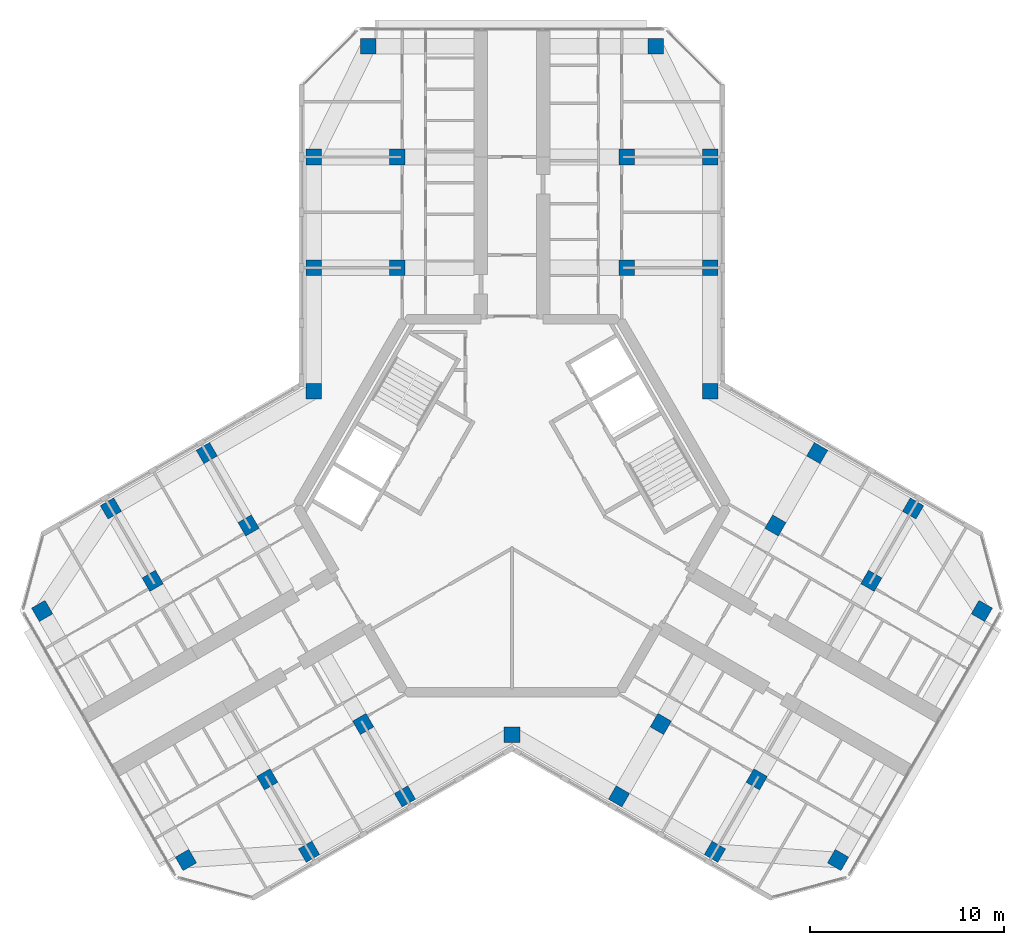
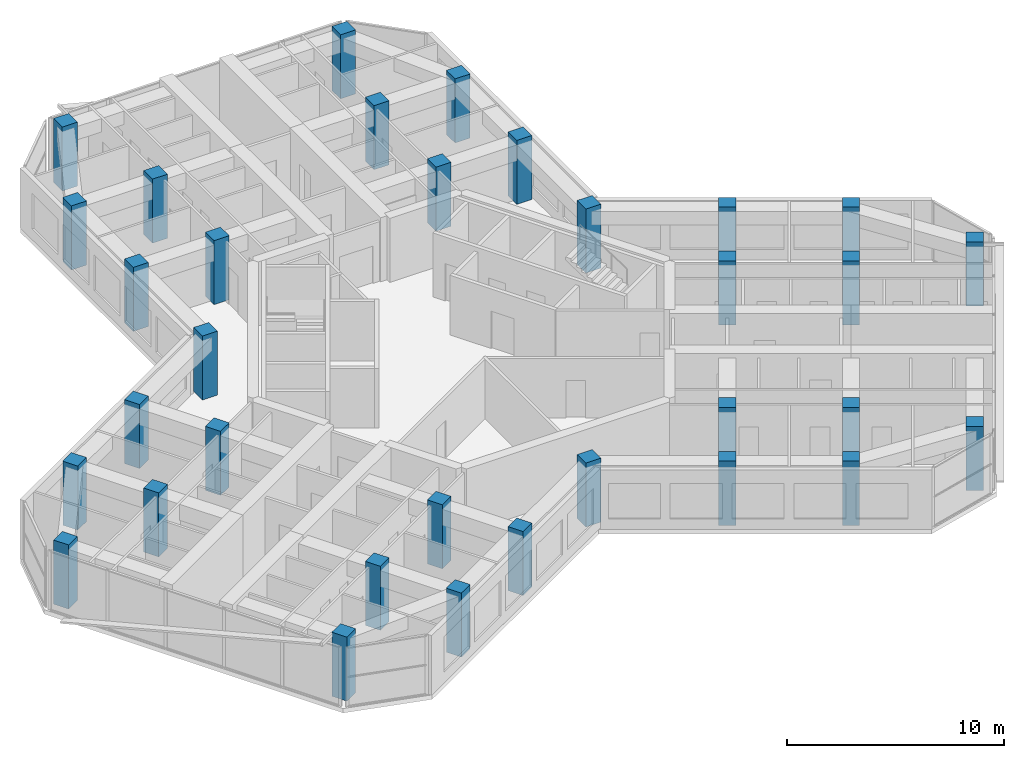
# One storey, part 1 of 14: 33 columns.
"""IFC4 building model written with IfcOpenShell, lengths in metres."""

from ifc_helpers import new_model, si_unit, direction, frame, origin, origin_2d, place, context, subcontext, project, spatial, rectangle, extrude, material, material_profile, profile_set, type_object, element, save


model = new_model("IFC4")

# Units and contexts
model_context = context("Model", 3, precision=1e-05, world=origin(), true_north=direction((0.0, 1.0)))
body_context = subcontext(model_context, "Body", "Model", "MODEL_VIEW")
ifc_project = project(units=[si_unit("LENGTHUNIT", "METRE"), si_unit("AREAUNIT", "SQUARE_METRE"), si_unit("VOLUMEUNIT", "CUBIC_METRE"), si_unit("PLANEANGLEUNIT", "RADIAN"), si_unit("MASSUNIT", "GRAM", prefix="KILO")], contexts=[model_context])

# Site, building, storey
site_placement = place(None, origin())
site = spatial("IfcSite", under=ifc_project, at=site_placement, CompositionType="ELEMENT")
building_placement = place(site_placement, origin())
building = spatial("IfcBuilding", under=site, at=building_placement, Name="Kosmar Iwan School Tower", CompositionType="ELEMENT")
storey_placement = place(building_placement, frame((0.0, 0.0, 292.60009765625)))
storey = spatial("IfcBuildingStorey", under=building, at=storey_placement, Name="L74", CompositionType="ELEMENT", Elevation=292.60009765625)

# Columns
ifc_material_1 = material(Name="Concrete C50/60", Category="concrete")
ifc_material_profile_1 = material_profile(ifc_material_1, rectangle(XDim=0.800048828125, YDim=0.800048828125, at=origin_2d()), Name="RC 800x800 + HE 300 M")
ifc_profile_set_1 = profile_set([ifc_material_profile_1], Name="Concrete C50/60")
column_type_1 = type_object("IfcColumnType", Name="Composite column 800x800 HE 300 M", PredefinedType="COLUMN", material=ifc_profile_set_1)
for number, where, z_axis, x_axis, name in (
    (1, (-10.199951171875, 12.25, 0.0), (0.0, 0.0, 1.0), (0.0, 1.0, 0.0), "Column AL1 L74"),
    (2, (-10.199951171875, 17.949951171875, 0.0), (0.0, 0.0, 1.0), (0.0, 1.0, 0.0), "Column AL2 L74"),
    (3, (-7.39990234375, 23.64990234375, 0.0), (0.0, 0.0, 1.0), (0.0, 1.0, 0.0), "Column ALTIP L74"),
    (4, (10.199951171875, 12.25, 0.0), (0.0, 0.0, 1.0), (0.0, 1.0, 0.0), "Column AR1 L74"),
    (5, (10.199951171875, 17.949951171875, 0.0), (0.0, 0.0, 1.0), (0.0, 1.0, 0.0), "Column AR2 L74"),
    (6, (7.39990234375, 23.64990234375, 0.0), (0.0, 0.0, 1.0), (0.0, 1.0, 0.0), "Column ARTIP L74"),
    (7, (-5.5087890625, -14.95849609375, 0.0), (0.0, 0.0, 1.0), (-0.866025403784, -0.5, 0.0), "Column BL1 L74"),
    (8, (-10.445068359375, -17.808349609375, 0.0), (0.0, 0.0, 1.0), (-0.866025403784, -0.5, 0.0), "Column BL2 L74"),
    (9, (-16.781494140625, -18.233642578125, 0.0), (0.0, 0.0, 1.0), (-0.866025403784, -0.5, 0.0), "Column BLTIP L74"),
    (10, (-15.708740234375, 2.70849609375, 0.0), (0.0, 0.0, 1.0), (-0.866025403784, -0.5, 0.0), "Column BR1 L74"),
    (11, (-20.645263671875, -0.1416015625, 0.0), (0.0, 0.0, 1.0), (-0.866025403784, -0.5, 0.0), "Column BR2 L74"),
    (12, (-24.181396484375, -5.41650390625, 0.0), (0.0, 0.0, 1.0), (-0.866025403784, -0.5, 0.0), "Column BRTIP L74"),
    (13, (15.708740234375, 2.70849609375, 0.0), (0.0, 0.0, 1.0), (0.866025403784, -0.5, 0.0), "Column CL1 L74"),
    (14, (20.645263671875, -0.1416015625, 0.0), (0.0, 0.0, 1.0), (0.866025403784, -0.5, 0.0), "Column CL2 L74"),
    (15, (24.181396484375, -5.41650390625, 0.0), (0.0, 0.0, 1.0), (0.866025403784, -0.5, 0.0), "Column CLTIP L74"),
    (16, (5.5087890625, -14.95849609375, 0.0), (0.0, 0.0, 1.0), (0.866025403784, -0.5, 0.0), "Column CR1 L74"),
    (17, (10.445068359375, -17.808349609375, 0.0), (0.0, 0.0, 1.0), (0.866025403784, -0.5, 0.0), "Column CR2 L74"),
    (18, (16.781494140625, -18.233642578125, 0.0), (0.0, 0.0, 1.0), (0.866025403784, -0.5, 0.0), "Column CRTIP L74"),
    (19, (-10.199951171875, 5.888916015625, 0.0), (0.0, 0.0, 1.0), (1.0, 0.0, 0.0), "Column RAB L74"),
    (20, (10.199951171875, 5.888916015625, 0.0), (0.0, 0.0, 1.0), (1.0, 0.0, 0.0), "Column RAC L74"),
    (21, (0.0, -11.77783203125, 0.0), (0.0, 0.0, 1.0), (1.0, 0.0, 0.0), "Column RBC L74"),
):
    element("IfcColumn", number, at=place(storey_placement, frame(where, z_axis=z_axis, x_axis=x_axis)), inside=storey, type_object=column_type_1, Name=name, PredefinedType="COLUMN", context=body_context, shape_type="SweptSolid", body=[
        extrude(rectangle(XDim=0.800048828125, YDim=0.800048828125, at=origin_2d()), origin(), (0.0, 0.0, 1.0), 3.599853515625),
    ])
ifc_material_2 = material(Name="Concrete C50/60", Category="concrete")
ifc_material_profile_2 = material_profile(ifc_material_2, rectangle(XDim=0.800048828125, YDim=0.800048828125, at=origin_2d()), Name="RC 800x800")
ifc_profile_set_2 = profile_set([ifc_material_profile_2], Name="Concrete C50/60")
column_type_2 = type_object("IfcColumnType", Name="RC interior column 800x800", PredefinedType="COLUMN", material=ifc_profile_set_2)
for number, where, z_axis, x_axis, name in (
    (22, (-5.89990234375, 12.25, 0.0), (0.0, 0.0, 1.0), (0.0, 1.0, 0.0), "Interior column ALI1 L74"),
    (23, (-5.89990234375, 17.949951171875, 0.0), (0.0, 0.0, 1.0), (0.0, 1.0, 0.0), "Interior column ALI2 L74"),
    (24, (5.89990234375, 12.25, 0.0), (0.0, 0.0, 1.0), (0.0, 1.0, 0.0), "Interior column ARI1 L74"),
    (25, (5.89990234375, 17.949951171875, 0.0), (0.0, 0.0, 1.0), (0.0, 1.0, 0.0), "Interior column ARI2 L74"),
    (26, (-7.65869140625, -11.234619140625, 0.0), (0.0, 0.0, 1.0), (-0.866025403784, -0.5, 0.0), "Interior column BLI1 L74"),
    (27, (-12.59521484375, -14.08447265625, 0.0), (0.0, 0.0, 1.0), (-0.866025403784, -0.5, 0.0), "Interior column BLI2 L74"),
    (28, (-13.558837890625, -1.015380859375, 0.0), (0.0, 0.0, 1.0), (-0.866025403784, -0.5, 0.0), "Interior column BRI1 L74"),
    (29, (-18.4951171875, -3.865478515625, 0.0), (0.0, 0.0, 1.0), (-0.866025403784, -0.5, 0.0), "Interior column BRI2 L74"),
    (30, (13.558837890625, -1.015380859375, 0.0), (0.0, 0.0, 1.0), (0.866025403784, -0.5, 0.0), "Interior column CLI1 L74"),
    (31, (18.4951171875, -3.865478515625, 0.0), (0.0, 0.0, 1.0), (0.866025403784, -0.5, 0.0), "Interior column CLI2 L74"),
    (32, (7.65869140625, -11.234619140625, 0.0), (0.0, 0.0, 1.0), (0.866025403784, -0.5, 0.0), "Interior column CRI1 L74"),
    (33, (12.59521484375, -14.08447265625, 0.0), (0.0, 0.0, 1.0), (0.866025403784, -0.5, 0.0), "Interior column CRI2 L74"),
):
    element("IfcColumn", number, at=place(storey_placement, frame(where, z_axis=z_axis, x_axis=x_axis)), inside=storey, type_object=column_type_2, Name=name, PredefinedType="COLUMN", context=body_context, shape_type="SweptSolid", body=[
        extrude(rectangle(XDim=0.800048828125, YDim=0.800048828125, at=origin_2d()), origin(), (0.0, 0.0, 1.0), 3.599853515625),
    ])

save(model, "model.ifc")
